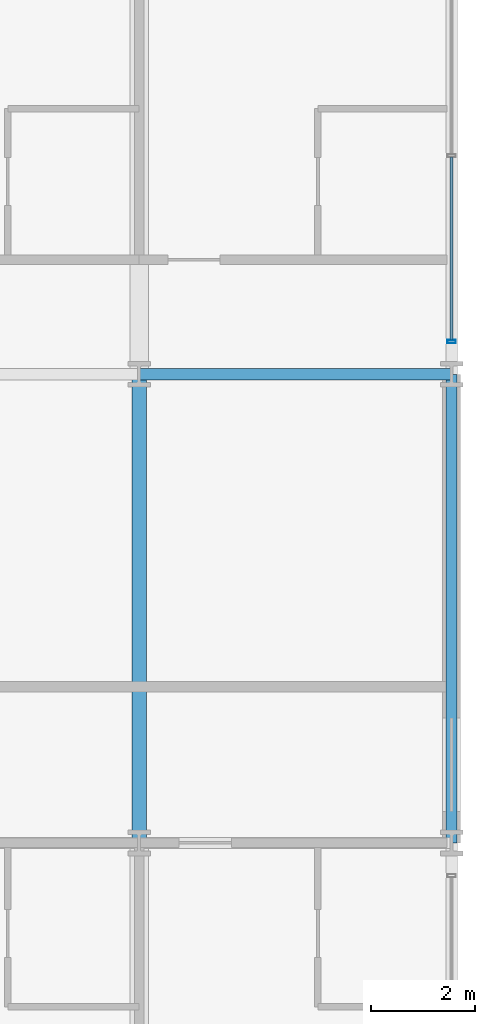
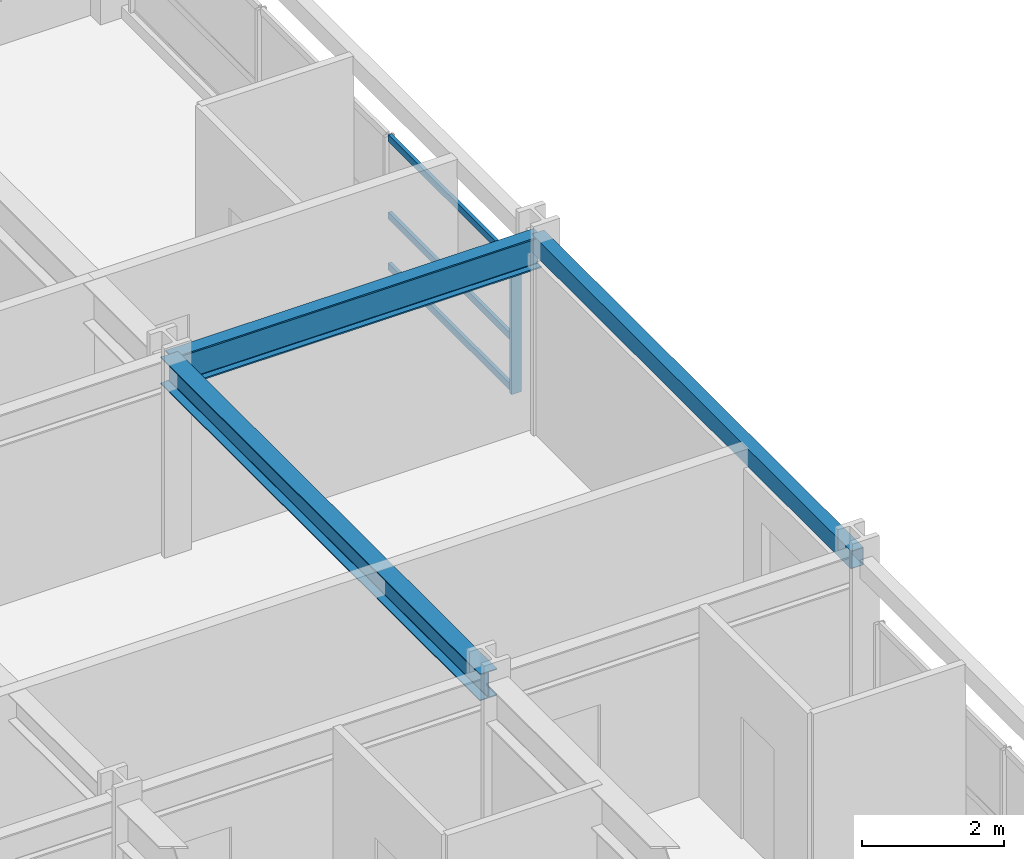
# One storey, part 13 of 22: 4 members, 3 beams, 1 element without a shape of its own.
"""IFC4 building model written with IfcOpenShell, lengths in metres."""

import ifcopenshell
import ifcopenshell.guid

model = None  # the IFC model being written
_history = None  # IfcOwnerHistory: only IFC2X3 demands one
_inside = {}  # id of a spatial element -> (the spatial element, [elements in it])
_under = {}  # id of a project, library or spatial element -> (it, [spatial elements below it])
_declared = {}  # id of a project -> (the project, [libraries it declares])
_typed = {}  # id of a type object -> (the type object, [elements of that type])
_made_of = {}  # id of a material, layer set ... -> (it, [elements and type objects made of it])


def new_model(schema):
    """Start an empty IFC model of exactly this schema.

    Asked for "IFC4X3", IfcOpenShell would pick the latest addendum, in which some entities
    have other attributes; the version numbers below select the first issue.
    IFC2X3 requires an IfcOwnerHistory on every rooted entity: one is made here for all.
    """
    global model, _history
    if schema == "IFC4X3":
        model = ifcopenshell.file(schema_version=(4, 3, 0, 0))
    else:
        model = ifcopenshell.file(schema=schema)
    _inside.clear()
    _under.clear()
    _declared.clear()
    _typed.clear()
    _made_of.clear()
    _history = None
    if model.schema == "IFC2X3":
        org = make("IfcOrganization", Name="unknown")
        user = make(
            "IfcPersonAndOrganization",
            ThePerson=make("IfcPerson", FamilyName="unknown"),
            TheOrganization=org,
        )
        app = make(
            "IfcApplication",
            ApplicationDeveloper=org,
            Version="unknown",
            ApplicationFullName="unknown",
            ApplicationIdentifier="unknown",
        )
        _history = make(
            "IfcOwnerHistory",
            OwningUser=user,
            OwningApplication=app,
            ChangeAction="ADDED",
            CreationDate=0,
        )
    return model


def make(cls, **values):
    """One entity of the class cls with the attributes given. An attribute that is None is left unset."""
    return model.create_entity(
        cls, **{name: value for name, value in values.items() if value is not None}
    )


def rooted(cls, **values):
    """An entity with a GlobalId (a new one), such as an element, a storey or a relation."""
    return make(cls, GlobalId=ifcopenshell.guid.new(), OwnerHistory=_history, **values)


def si_unit(unit_type, name, prefix=None):
    """IfcSIUnit, for example si_unit("LENGTHUNIT", "METRE", prefix="MILLI")."""
    return make("IfcSIUnit", UnitType=unit_type, Prefix=prefix, Name=name)


def assignment(units):
    """IfcUnitAssignment: the units of a project."""
    return None if units is None else make("IfcUnitAssignment", Units=units)


def point(xyz):
    """IfcCartesianPoint."""
    return None if xyz is None else make("IfcCartesianPoint", Coordinates=xyz)


def direction(xyz):
    """IfcDirection."""
    return None if xyz is None else make("IfcDirection", DirectionRatios=xyz)


def frame(location, z_axis=None, x_axis=None):
    """IfcAxis2Placement3D, a coordinate frame: its origin and axes. An axis left out is left unset."""
    return make(
        "IfcAxis2Placement3D",
        Location=point(location),
        Axis=direction(z_axis),
        RefDirection=direction(x_axis),
    )


def frame_2d(location, x_axis=None):
    """IfcAxis2Placement2D, a coordinate frame in the plane: its origin and x axis."""
    return make(
        "IfcAxis2Placement2D", Location=point(location), RefDirection=direction(x_axis)
    )


def origin():
    """The frame at (0, 0, 0) with its axes left unset."""
    return frame((0.0, 0.0, 0.0))


def origin_2d():
    """The frame at (0, 0) in the plane with its x axis left unset."""
    return frame_2d((0.0, 0.0))


def place(relative_to, where):
    """IfcLocalPlacement: puts the frame where relative to a parent placement (None: the world)."""
    return make(
        "IfcLocalPlacement", PlacementRelTo=relative_to, RelativePlacement=where
    )


def context(
    kind, dimensions, precision=None, world=None, true_north=None, identifier=None
):
    """IfcGeometricRepresentationContext, for example the 3D "Model" context."""
    return make(
        "IfcGeometricRepresentationContext",
        ContextIdentifier=identifier,
        ContextType=kind,
        CoordinateSpaceDimension=dimensions,
        Precision=precision,
        WorldCoordinateSystem=world,
        TrueNorth=true_north,
    )


def subcontext(parent, identifier, kind, view, scale=None):
    """IfcGeometricRepresentationSubContext, for example "Body" below "Model"."""
    return make(
        "IfcGeometricRepresentationSubContext",
        ContextIdentifier=identifier,
        ContextType=kind,
        ParentContext=parent,
        TargetScale=scale,
        TargetView=view,
    )


def project(units=None, contexts=None):
    """IfcProject with its units and contexts."""
    return rooted(
        "IfcProject",
        Name="project",
        RepresentationContexts=contexts,
        UnitsInContext=assignment(units),
    )


def spatial(cls, under=None, at=None, **own):
    """A site, building, storey or space (cls), placed at a placement, below another one or the project."""
    s = rooted(cls, ObjectPlacement=at, **own)
    if under is not None:
        _under.setdefault(under.id(), (under, []))[1].append(s)
    return s


def profile(cls, at=None, kind="AREA", **sizes):
    """A parametric profile (cls). Its sizes go by their IFC names, for example OverallWidth=200.0."""
    return make(cls, ProfileType=kind, Position=at, **sizes)


def hollow_rectangle(**sizes):
    """IfcRectangleHollowProfileDef."""
    return profile("IfcRectangleHollowProfileDef", **sizes)


def i_section(**sizes):
    """IfcIShapeProfileDef."""
    return profile("IfcIShapeProfileDef", **sizes)


def extrude(swept, where, along, depth):
    """IfcExtrudedAreaSolid: the profile swept, set in the frame where, extruded along a direction by depth."""
    return make(
        "IfcExtrudedAreaSolid",
        SweptArea=swept,
        Position=where,
        ExtrudedDirection=direction(along),
        Depth=depth,
    )


def shape(context_of_items, identifier, shape_type, items):
    """IfcShapeRepresentation: the items that make up one representation, for example the "Body"."""
    return make(
        "IfcShapeRepresentation",
        ContextOfItems=context_of_items,
        RepresentationIdentifier=identifier,
        RepresentationType=shape_type,
        Items=items,
    )


def material(Name=None, Category=None):
    """IfcMaterial."""
    return make("IfcMaterial", Name=Name, Category=Category)


def material_profile(
    of_material, cross_section, Name=None, Category=None, Priority=None
):
    """IfcMaterialProfile: a cross section and its material."""
    return make(
        "IfcMaterialProfile",
        Name=Name,
        Material=of_material,
        Profile=cross_section,
        Priority=Priority,
        Category=Category,
    )


def profile_set(profiles, Name=None, composite=None):
    """IfcMaterialProfileSet."""
    return make(
        "IfcMaterialProfileSet",
        Name=Name,
        MaterialProfiles=profiles,
        CompositeProfile=composite,
    )


def made_of(thing, what):
    """Note that an element or type object is made of a material, layer set ...; save() writes the relation."""
    if what is not None:
        _made_of.setdefault(what.id(), (what, []))[1].append(thing)
    return thing


def type_object(cls, material=None, **own):
    """A type object (cls), such as IfcWallType, which elements share."""
    return made_of(rooted(cls, **own), material)


def element(
    cls,
    number,
    at=None,
    inside=None,
    cuts=None,
    type_object=None,
    material=None,
    context=None,
    identifier="Body",
    shape_type=None,
    held_by="IfcProductDefinitionShape",
    body=None,
    shapes=None,
    **own,
):
    """One element of the class cls, such as IfcWall. Its Tag is "e" and its number.

    at: its placement. inside: the storey or other place that contains it. cuts: it is an
    opening in that element (IfcRelVoidsElement). A single representation is given by context,
    identifier, shape_type and body (its items); several are given by shapes. held_by: the class
    of the entity that holds the representations. save() writes the other relations.
    """
    e = rooted(cls, Tag="e%d" % number, ObjectPlacement=at, **own)
    if body is not None:
        shapes = [shape(context, identifier, shape_type, body)]
    if shapes is not None:
        e.Representation = make(held_by, Representations=shapes)
    if inside is not None:
        _inside.setdefault(inside.id(), (inside, []))[1].append(e)
    if cuts is not None:
        rooted(
            "IfcRelVoidsElement", RelatingBuildingElement=cuts, RelatedOpeningElement=e
        )
    if type_object is not None:
        _typed.setdefault(type_object.id(), (type_object, []))[1].append(e)
    return made_of(e, material)


def aggregate(whole, parts):
    """IfcRelAggregates: a whole, such as a stair, and the parts it consists of."""
    return rooted("IfcRelAggregates", RelatingObject=whole, RelatedObjects=parts)


def save(model, path):
    """Write the relations noted so far, then the file.

    IfcRelAggregates (storeys below a building ...), IfcRelContainedInSpatialStructure (elements
    in a storey), IfcRelDefinesByType, IfcRelAssociatesMaterial and IfcRelDeclares: one each for
    every whole, place, type object, material and project.
    """
    for whole, parts in _under.values():
        aggregate(whole, parts)
    for where, things in _inside.values():
        rooted(
            "IfcRelContainedInSpatialStructure",
            RelatedElements=things,
            RelatingStructure=where,
        )
    for kind, things in _typed.values():
        rooted("IfcRelDefinesByType", RelatedObjects=things, RelatingType=kind)
    for what, things in _made_of.values():
        rooted("IfcRelAssociatesMaterial", RelatedObjects=things, RelatingMaterial=what)
    for by, libraries in _declared.values():
        rooted("IfcRelDeclares", RelatingContext=by, RelatedDefinitions=libraries)
    model.write(path)


model = new_model("IFC4")

# Units and contexts
model_context = context("Model", 3, precision=1e-05, world=origin(), true_north=direction((0.0, 1.0)))
body_context = subcontext(model_context, "Body", "Model", "MODEL_VIEW")
ifc_project = project(units=[si_unit("LENGTHUNIT", "METRE"), si_unit("AREAUNIT", "SQUARE_METRE"), si_unit("VOLUMEUNIT", "CUBIC_METRE"), si_unit("PLANEANGLEUNIT", "RADIAN"), si_unit("MASSUNIT", "GRAM", prefix="KILO")], contexts=[model_context])

# Site, building, storey
site_placement = place(None, origin())
site = spatial("IfcSite", under=ifc_project, at=site_placement, CompositionType="ELEMENT")
building_placement = place(site_placement, origin())
building = spatial("IfcBuilding", under=site, at=building_placement, Name="Kaldorvane Square Convention Centre", CompositionType="ELEMENT")
storey_placement = place(building_placement, frame((0.0, 0.0, 31.199996948242188)))
storey = spatial("IfcBuildingStorey", under=building, at=storey_placement, Name="L06", CompositionType="ELEMENT", Elevation=31.199996948242188)

# Beams
ifc_material_1 = material(Name="Steel ASTM A992 Gr. 50", Category="steel")
ifc_material_profile_1 = material_profile(ifc_material_1, i_section(OverallWidth=0.213897705078125, OverallDepth=0.549102783203125, WebThickness=0.0146942138671875, FlangeThickness=0.0236053466796875, FilletRadius=0.0126953125, at=origin_2d()), Name="W21X93")
ifc_profile_set_1 = profile_set([ifc_material_profile_1], Name="Steel ASTM A992 Gr. 50")
beam_type_1 = type_object("IfcBeamType", Name="BM-GR-W21X93", PredefinedType="BEAM", material=ifc_profile_set_1)
beam_1_placement = place(storey_placement, frame((90.0, 105.0, 3.0113983154296875), z_axis=(1.0, 0.0, 0.0), x_axis=(0.0, 1.0, 0.0)))
element("IfcBeam", 1, at=beam_1_placement, inside=storey, type_object=beam_type_1, Name="Primary Girder (L06)", PredefinedType="BEAM", context=body_context, shape_type="SweptSolid", body=[
    extrude(i_section(OverallWidth=0.213897705078125, OverallDepth=0.549102783203125, WebThickness=0.0146942138671875, FlangeThickness=0.0236053466796875, FilletRadius=0.0126953125, at=origin_2d()), origin(), (0.0, 0.0, 1.0), 6.0),
])
ifc_material_profile_2 = material_profile(ifc_material_1, i_section(OverallWidth=0.2799072265625, OverallDepth=0.462799072265625, WebThickness=0.01080322265625, FlangeThickness=0.017303466796875, FilletRadius=0.01019287109375, at=origin_2d()), Name="W18X76")
ifc_profile_set_2 = profile_set([ifc_material_profile_2], Name="Steel ASTM A992 Gr. 50")
beam_type_2 = type_object("IfcBeamType", Name="BM-JS-W18X76", PredefinedType="JOIST", material=ifc_profile_set_2)
beam_2_placement = place(storey_placement, frame((90.0, 96.0, 3.054595947265625), z_axis=(0.0, 1.0, 0.0), x_axis=(-1.0, 0.0, 0.0)))
element("IfcBeam", 2, at=beam_2_placement, inside=storey, type_object=beam_type_2, Name="Transverse Girder (L06)", PredefinedType="JOIST", context=body_context, shape_type="SweptSolid", body=[
    extrude(i_section(OverallWidth=0.2799072265625, OverallDepth=0.462799072265625, WebThickness=0.01080322265625, FlangeThickness=0.017303466796875, FilletRadius=0.01019287109375, at=origin_2d()), origin(), (0.0, 0.0, 1.0), 9.0),
])
ifc_material_2 = material(Name="Steel ASTM A500 Gr. C", Category="steel")
ifc_material_profile_3 = material_profile(ifc_material_2, hollow_rectangle(XDim=0.2032012939453125, YDim=0.3047943115234375, WallThickness=0.0088958740234375, at=origin_2d()), Name="HSS12X8X3/8")
ifc_profile_set_3 = profile_set([ifc_material_profile_3], Name="Steel ASTM A500 Gr. C")
beam_type_3 = type_object("IfcBeamType", Name="BM-SP-HSS12", PredefinedType="SPANDREL", material=ifc_profile_set_3)
beam_3_placement = place(storey_placement, frame((96.0, 96.0, 3.13360595703125), z_axis=(0.0, 1.0, 0.0), x_axis=(-1.0, 0.0, 0.0)))
element("IfcBeam", 3, at=beam_3_placement, inside=storey, type_object=beam_type_3, Name="End Spandrel (L06)", PredefinedType="SPANDREL", context=body_context, shape_type="SweptSolid", body=[
    extrude(hollow_rectangle(XDim=0.2032012939453125, YDim=0.3047943115234375, WallThickness=0.0088958740234375, at=origin_2d()), origin(), (0.0, 0.0, 1.0), 9.0),
])

# Curtain wall, members
ifc_material_3 = material(Name="Anodized Aluminum and Low-E Insulated Glazing", Category="aluminium")
curtain_wall_type = type_object("IfcCurtainWallType", Name="CW-UNI-HTL-A", PredefinedType="USERDEFINED", material=ifc_material_3)
curtain_wall_placement = place(storey_placement, origin())
curtain_wall = element("IfcCurtainWall", 4, at=curtain_wall_placement, inside=storey, type_object=curtain_wall_type, Name="Curtain Wall CW-10 (L06)", ObjectType="UNITISED GLAZING", PredefinedType="USERDEFINED")
ifc_material_profile_4 = material_profile(ifc_material_3, hollow_rectangle(XDim=0.05999755859375, YDim=0.160003662109375, WallThickness=0.003204345703125, at=origin_2d()), Name="CWM-160X60")
ifc_profile_set_4 = profile_set([ifc_material_profile_4], Name="Anodized Aluminum and Low-E Insulated Glazing")
member_type_1 = type_object("IfcMemberType", Name="CW-MUL-160", PredefinedType="MULLION", material=ifc_profile_set_4)
member_1_placement = place(storey_placement, frame((96.0, 105.6300048828125, 0.1500091552734375), z_axis=(0.0, 0.0, 1.0), x_axis=(0.0, 1.0, 0.0)))
member_1 = element("IfcMember", 5, at=member_1_placement, type_object=member_type_1, Name="CW-10 mullion 1", PredefinedType="MULLION", context=body_context, shape_type="SweptSolid", body=[
    extrude(hollow_rectangle(XDim=0.05999755859375, YDim=0.160003662109375, WallThickness=0.003204345703125, at=origin_2d()), origin(), (0.0, 0.0, 1.0), 2.2599945068359375),
])
ifc_material_profile_5 = material_profile(ifc_material_3, hollow_rectangle(XDim=0.05499267578125, YDim=0.1199951171875, WallThickness=0.0030059814453125, at=origin_2d()), Name="CWT-120X55")
ifc_profile_set_5 = profile_set([ifc_material_profile_5], Name="Anodized Aluminum and Low-E Insulated Glazing")
member_type_2 = type_object("IfcMemberType", Name="CW-TRN-120", PredefinedType="USERDEFINED", material=ifc_profile_set_5)
member_2_placement = place(storey_placement, frame((96.0, 105.66000366210938, 0.1775054931640625), z_axis=(0.0, 1.0, 0.0), x_axis=(-1.0, 0.0, 0.0)))
member_2 = element("IfcMember", 6, at=member_2_placement, type_object=member_type_2, Name="CW-10 transom 1.1", ObjectType="TRANSOM", PredefinedType="USERDEFINED", context=body_context, shape_type="SweptSolid", body=[
    extrude(hollow_rectangle(XDim=0.05499267578125, YDim=0.1199951171875, WallThickness=0.0030059814453125, at=origin_2d()), origin(), (0.0, 0.0, 1.0), 3.5099945068359375),
])
member_3_placement = place(storey_placement, frame((96.0, 105.66000366210938, 1.0500030517578125), z_axis=(0.0, 1.0, 0.0), x_axis=(-1.0, 0.0, 0.0)))
member_3 = element("IfcMember", 7, at=member_3_placement, type_object=member_type_2, Name="CW-10 transom 1.2", ObjectType="TRANSOM", PredefinedType="USERDEFINED", context=body_context, shape_type="SweptSolid", body=[
    extrude(hollow_rectangle(XDim=0.05499267578125, YDim=0.1199951171875, WallThickness=0.0030059814453125, at=origin_2d()), origin(), (0.0, 0.0, 1.0), 3.5099945068359375),
])
member_4_placement = place(storey_placement, frame((96.0, 105.66000366210938, 2.38250732421875), z_axis=(0.0, 1.0, 0.0), x_axis=(-1.0, 0.0, 0.0)))
member_4 = element("IfcMember", 8, at=member_4_placement, type_object=member_type_2, Name="CW-10 transom 1.3", ObjectType="TRANSOM", PredefinedType="USERDEFINED", context=body_context, shape_type="SweptSolid", body=[
    extrude(hollow_rectangle(XDim=0.05499267578125, YDim=0.1199951171875, WallThickness=0.0030059814453125, at=origin_2d()), origin(), (0.0, 0.0, 1.0), 3.5099945068359375),
])
aggregate(curtain_wall, [member_1, member_2, member_3, member_4])

save(model, "model.ifc")
